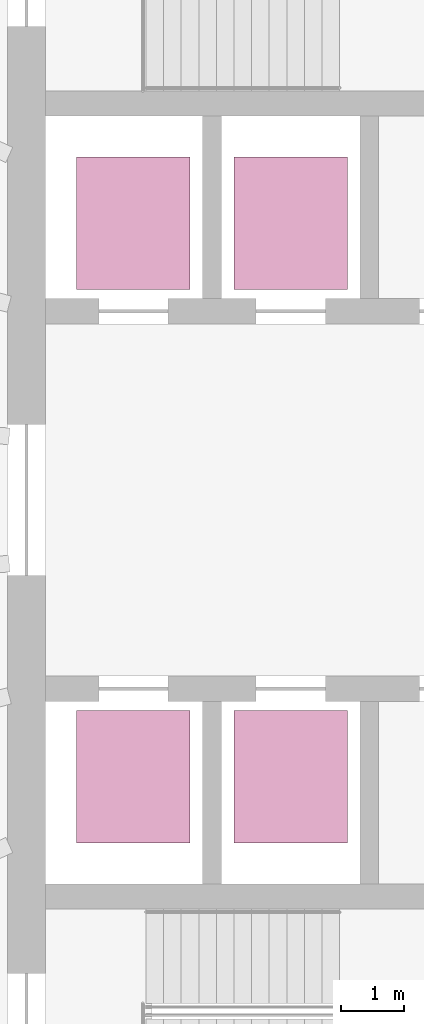
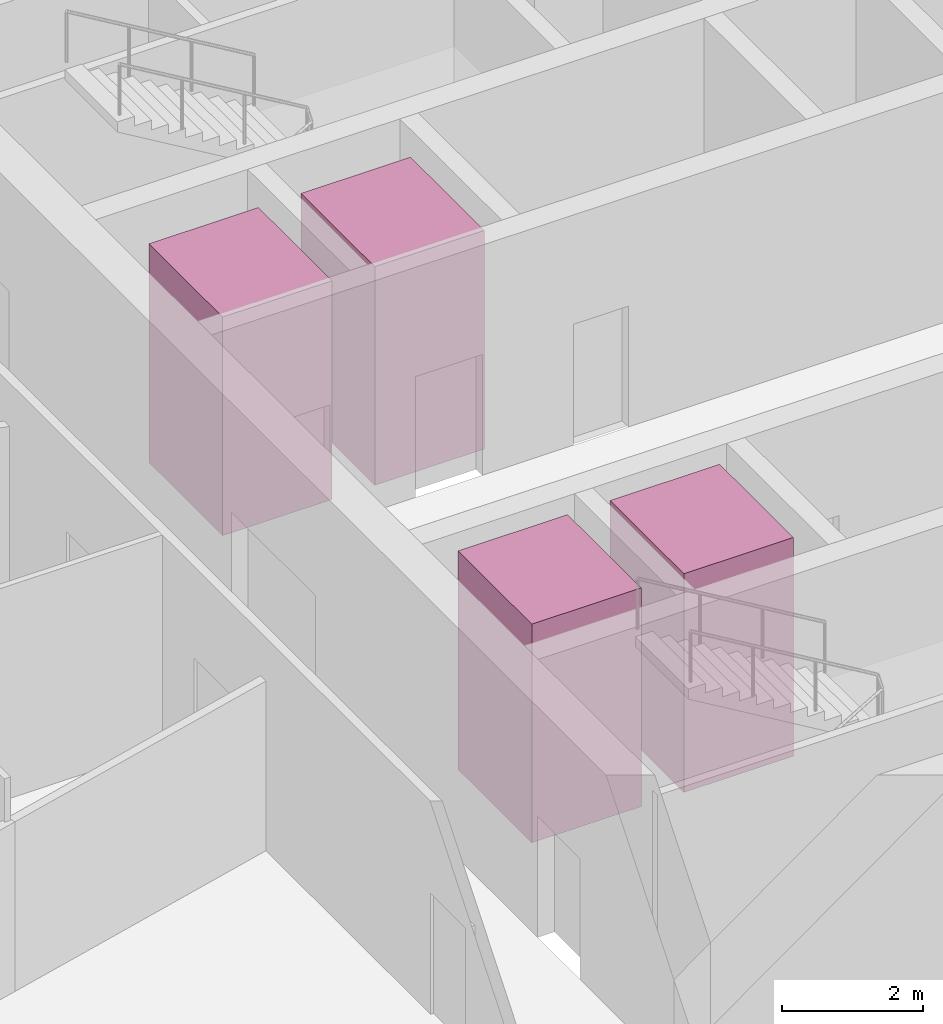
# One storey, part 10 of 10: 4 transport elements.
"""IFC4 building model written with IfcOpenShell, lengths in metres."""

from ifc_helpers import new_model, si_unit, direction, frame, origin, origin_2d, place, context, subcontext, project, spatial, rectangle, extrude, material, type_object, element, save


model = new_model("IFC4")

# Units and contexts
model_context = context("Model", 3, precision=1e-05, world=origin(), true_north=direction((0.0, 1.0)))
body_context = subcontext(model_context, "Body", "Model", "MODEL_VIEW")
ifc_project = project(units=[si_unit("LENGTHUNIT", "METRE"), si_unit("AREAUNIT", "SQUARE_METRE"), si_unit("VOLUMEUNIT", "CUBIC_METRE"), si_unit("PLANEANGLEUNIT", "RADIAN"), si_unit("MASSUNIT", "GRAM", prefix="KILO")], contexts=[model_context])

# Site, building, storey
site_placement = place(None, origin())
site = spatial("IfcSite", under=ifc_project, at=site_placement, CompositionType="ELEMENT")
building_placement = place(site_placement, origin())
building = spatial("IfcBuilding", under=site, at=building_placement, Name="Halqa Exchange Tower", CompositionType="ELEMENT")
storey_placement = place(building_placement, frame((0.0, 0.0, 268.300048828125)))
storey = spatial("IfcBuildingStorey", under=building, at=storey_placement, Name="L62", CompositionType="ELEMENT", Elevation=268.300048828125)

# Transport elements
ifc_material = material(Name="Stainless steel", Category="steel")
transport_element_type = type_object("IfcTransportElementType", Name="High-rise passenger lift 1800 x 2100", PredefinedType="ELEVATOR", material=ifc_material)
for number, where, z_axis, x_axis, name in (
    (1, (-10.0, 4.39990234375, 0.0), (0.0, 0.0, 1.0), (1.0, 0.0, 0.0), "High-rise passenger lift HR1"),
    (2, (-7.5, 4.39990234375, 0.0), (0.0, 0.0, 1.0), (1.0, 0.0, 0.0), "High-rise passenger lift HR2"),
    (3, (-10.0, -4.39990234375, 0.0), (0.0, 0.0, 1.0), (1.0, 0.0, 0.0), "High-rise passenger lift HR3"),
    (4, (-7.5, -4.39990234375, 0.0), (0.0, 0.0, 1.0), (1.0, 0.0, 0.0), "High-rise passenger lift HR4"),
):
    element("IfcTransportElement", number, at=place(storey_placement, frame(where, z_axis=z_axis, x_axis=x_axis)), inside=storey, type_object=transport_element_type, Name=name, PredefinedType="ELEVATOR", context=body_context, shape_type="SweptSolid", body=[
        extrude(rectangle(XDim=1.800048828125, YDim=2.10009765625, at=origin_2d()), origin(), (0.0, 0.0, 1.0), 3.800048828125),
    ])

save(model, "model.ifc")
